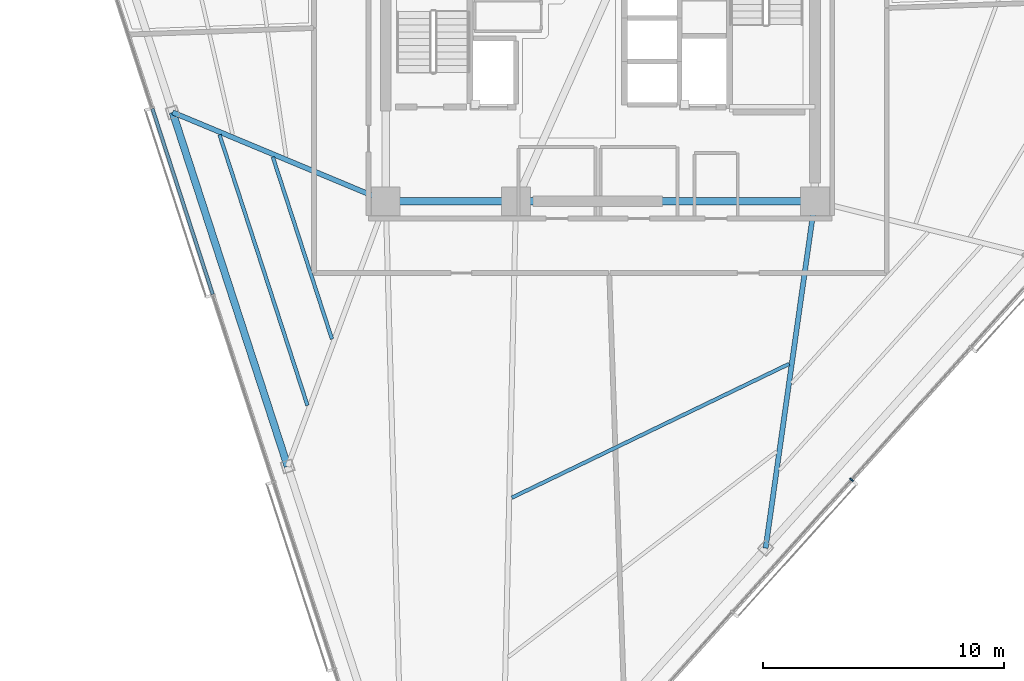
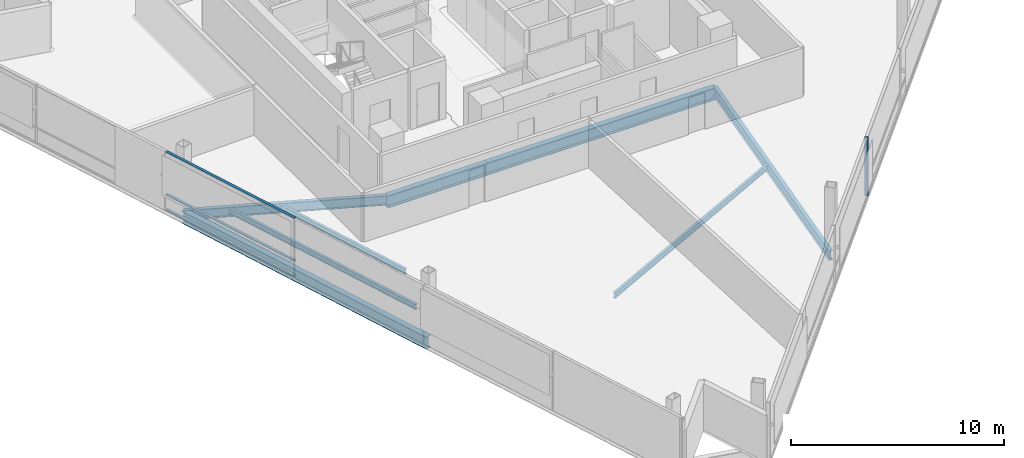
# One storey, part 3 of 17: 8 beams, 4 members, 2 elements without a shape of their own.
"""IFC4 building model written with IfcOpenShell, lengths in metres."""

from ifc_helpers import new_model, si_unit, direction, frame, origin, origin_2d, place, context, subcontext, project, spatial, rectangle, i_section, extrude, material, layer, layer_set, material_profile, profile_set, type_object, element, aggregate, save


model = new_model("IFC4")

# Units and contexts
model_context = context("Model", 3, precision=1e-05, world=origin(), true_north=direction((0.0, 1.0)))
body_context = subcontext(model_context, "Body", "Model", "MODEL_VIEW")
ifc_project = project(units=[si_unit("LENGTHUNIT", "METRE"), si_unit("AREAUNIT", "SQUARE_METRE"), si_unit("VOLUMEUNIT", "CUBIC_METRE"), si_unit("PLANEANGLEUNIT", "RADIAN"), si_unit("MASSUNIT", "GRAM", prefix="KILO")], contexts=[model_context])

# Site, building, storey
site_placement = place(None, origin())
site = spatial("IfcSite", under=ifc_project, at=site_placement, CompositionType="ELEMENT")
building_placement = place(site_placement, origin())
building = spatial("IfcBuilding", under=site, at=building_placement, Name="Tharavind Bronze Gate", CompositionType="ELEMENT")
storey_placement = place(building_placement, frame((0.0, 0.0, 218.449951171875)))
storey = spatial("IfcBuildingStorey", under=building, at=storey_placement, Name="L56", CompositionType="ELEMENT", Elevation=218.449951171875)

# Curtain wall, member
ifc_material_1 = material(Name="Anodised Bronze Aluminium", Category="aluminium")
ifc_layer = layer(ifc_material_1, 0.219970703125)
ifc_layer_set = layer_set([ifc_layer], Name="Anodised Bronze Aluminium")
curtain_wall_type = type_object("IfcCurtainWallType", Name="UNITISED CURTAIN WALL MID OFFICE", PredefinedType="USERDEFINED", material=ifc_layer_set)
curtain_wall_1_placement = place(storey_placement, origin())
curtain_wall_1 = element("IfcCurtainWall", 1, at=curtain_wall_1_placement, inside=storey, type_object=curtain_wall_type, Name="L56 unitised curtain wall mid office CW-L56-S2", ObjectType="UNITISED CURTAIN WALL", PredefinedType="USERDEFINED")
member_type_1 = type_object("IfcMemberType", Name="CURTAIN WALL BRONZE MULLION 65X180", PredefinedType="MULLION", material=ifc_material_1)
member_1_placement = place(storey_placement, frame((10.42138671875, -19.1552734375, 0.0), z_axis=(0.0, 0.0, 1.0), x_axis=(0.669130606359, 0.743144825477, 0.0)))
member_1 = element("IfcMember", 2, at=member_1_placement, type_object=member_type_1, Name="CW-L56-S2 mullion 4", PredefinedType="MULLION", context=body_context, shape_type="SweptSolid", body=[
    extrude(rectangle(XDim=0.06494140625, YDim=0.179931640625, at=origin_2d()), origin(), (0.0, 0.0, 1.0), 3.360107421875),
])
aggregate(curtain_wall_1, [member_1])

# Curtain wall, members
curtain_wall_2_placement = place(storey_placement, origin())
curtain_wall_2 = element("IfcCurtainWall", 3, at=curtain_wall_2_placement, inside=storey, type_object=curtain_wall_type, Name="L56 unitised curtain wall mid office CW-L56-S1", ObjectType="UNITISED CURTAIN WALL", PredefinedType="USERDEFINED")
member_type_2 = type_object("IfcMemberType", Name="CURTAIN WALL BRONZE TRANSOM 65X140", PredefinedType="USERDEFINED", material=ifc_material_1)
member_2_placement = place(storey_placement, frame((-17.32958984375, -7.61083984375, 0.0), z_axis=(0.0, 0.0, 1.0), x_axis=(0.309016994375, -0.951056516295, 0.0)))
member_2 = element("IfcMember", 4, at=member_2_placement, type_object=member_type_2, Name="CW-L56-S1 transom TB3", ObjectType="TRANSOM", PredefinedType="USERDEFINED", context=body_context, shape_type="SweptSolid", body=[
    extrude(rectangle(XDim=8.102783203125, YDim=0.139892578125, at=origin_2d()), origin(), (0.0, 0.0, 1.0), 0.06494140625),
])
member_3_placement = place(storey_placement, frame((-17.32958984375, -7.61083984375, 0.86767578125), z_axis=(0.0, 0.0, 1.0), x_axis=(0.309016994375, -0.951056516295, 0.0)))
member_3 = element("IfcMember", 5, at=member_3_placement, type_object=member_type_2, Name="CW-L56-S1 transom TS3", ObjectType="TRANSOM", PredefinedType="USERDEFINED", context=body_context, shape_type="SweptSolid", body=[
    extrude(rectangle(XDim=8.102783203125, YDim=0.139892578125, at=origin_2d()), origin(), (0.0, 0.0, 1.0), 0.06494140625),
])
member_4_placement = place(storey_placement, frame((-17.32958984375, -7.61083984375, 3.295166015625), z_axis=(0.0, 0.0, 1.0), x_axis=(0.309016994375, -0.951056516295, 0.0)))
member_4 = element("IfcMember", 6, at=member_4_placement, type_object=member_type_2, Name="CW-L56-S1 transom TT3", ObjectType="TRANSOM", PredefinedType="USERDEFINED", context=body_context, shape_type="SweptSolid", body=[
    extrude(rectangle(XDim=8.102783203125, YDim=0.139892578125, at=origin_2d()), origin(), (0.0, 0.0, 1.0), 0.06494140625),
])
aggregate(curtain_wall_2, [member_2, member_3, member_4])

# Beams
ifc_material_2 = material(Name="Steel S355", Category="steel")
ifc_material_profile_1 = material_profile(ifc_material_2, i_section(OverallWidth=0.2099609375, OverallDepth=0.550048828125, WebThickness=0.010986328125, FlangeThickness=0.01708984375, at=origin_2d()), Name="IPE550")
ifc_profile_set_1 = profile_set([ifc_material_profile_1], Name="Steel S355")
beam_type_1 = type_object("IfcBeamType", Name="PRIMARY GIRDER IPE550", PredefinedType="USERDEFINED", material=ifc_profile_set_1)
beam_1_placement = place(storey_placement, frame((-17.74267578125, -3.91259765625, -0.454833984375), z_axis=(0.922965305367, -0.38488315771, 0.0), x_axis=(0.38488315771, 0.922965305367, 0.0)))
element("IfcBeam", 7, at=beam_1_placement, inside=storey, type_object=beam_type_1, Name="L56 primary girder ipe550 BM-L56-RAD02", ObjectType="GIRDER", PredefinedType="USERDEFINED", context=body_context, shape_type="SweptSolid", body=[
    extrude(i_section(OverallWidth=0.2099609375, OverallDepth=0.550048828125, WebThickness=0.010986328125, FlangeThickness=0.01708984375, at=origin_2d()), origin(), (0.0, 0.0, 1.0), 9.580810546875),
])
beam_2_placement = place(storey_placement, frame((6.857421875, -21.992431640625, -0.454833984375), z_axis=(0.140506642307, 0.990079735914, 0.0), x_axis=(-0.990079735914, 0.140506642307, 0.0)))
element("IfcBeam", 8, at=beam_2_placement, inside=storey, type_object=beam_type_1, Name="L56 primary girder ipe550 BM-L56-RAD06", ObjectType="GIRDER", PredefinedType="USERDEFINED", context=body_context, shape_type="SweptSolid", body=[
    extrude(i_section(OverallWidth=0.2099609375, OverallDepth=0.550048828125, WebThickness=0.010986328125, FlangeThickness=0.01708984375, at=origin_2d()), origin(), (0.0, 0.0, 1.0), 14.53662109375),
])
ifc_material_profile_2 = material_profile(ifc_material_2, i_section(OverallWidth=0.300048828125, OverallDepth=0.699951171875, WebThickness=0.01708984375, FlangeThickness=0.031982421875, at=origin_2d()), Name="HE700B")
ifc_profile_set_2 = profile_set([ifc_material_profile_2], Name="Steel S355")
beam_type_2 = type_object("IfcBeamType", Name="RING GIRDER HE700B", PredefinedType="USERDEFINED", material=ifc_profile_set_2)
beam_3_placement = place(storey_placement, frame((-8.89990234375, -7.60009765625, -0.530029296875), z_axis=(1.0, 0.0, 0.0), x_axis=(0.0, 1.0, 0.0)))
element("IfcBeam", 9, at=beam_3_placement, inside=storey, type_object=beam_type_2, Name="L56 ring girder he700b BM-L56-CR1", ObjectType="GIRDER", PredefinedType="USERDEFINED", context=body_context, shape_type="SweptSolid", body=[
    extrude(i_section(OverallWidth=0.300048828125, OverallDepth=0.699951171875, WebThickness=0.01708984375, FlangeThickness=0.031982421875, at=origin_2d()), origin(), (0.0, 0.0, 1.0), 5.39990234375),
])
beam_4_placement = place(storey_placement, frame((-3.5, -7.60009765625, -0.530029296875), z_axis=(1.0, 0.0, 0.0), x_axis=(0.0, 1.0, 0.0)))
element("IfcBeam", 10, at=beam_4_placement, inside=storey, type_object=beam_type_2, Name="L56 ring girder he700b BM-L56-CR2", ObjectType="GIRDER", PredefinedType="USERDEFINED", context=body_context, shape_type="SweptSolid", body=[
    extrude(i_section(OverallWidth=0.300048828125, OverallDepth=0.699951171875, WebThickness=0.01708984375, FlangeThickness=0.031982421875, at=origin_2d()), origin(), (0.0, 0.0, 1.0), 12.39990234375),
])
beam_5_placement = place(storey_placement, frame((-17.74267578125, -3.91259765625, -0.530029296875), z_axis=(0.309020307293, -0.951055439857, 0.0), x_axis=(0.951055439857, 0.309020307293, 0.0)))
element("IfcBeam", 11, at=beam_5_placement, inside=storey, type_object=beam_type_2, Name="L56 ring girder he700b BM-L56-PRG02", ObjectType="GIRDER", PredefinedType="USERDEFINED", context=body_context, shape_type="SweptSolid", body=[
    extrude(i_section(OverallWidth=0.300048828125, OverallDepth=0.699951171875, WebThickness=0.01708984375, FlangeThickness=0.031982421875, at=origin_2d()), origin(), (0.0, 0.0, 1.0), 15.4453125),
])
ifc_material_profile_3 = material_profile(ifc_material_2, i_section(OverallWidth=0.14990234375, OverallDepth=0.300048828125, WebThickness=0.007080078125, FlangeThickness=0.0107421875, at=origin_2d()), Name="IPE300")
ifc_profile_set_3 = profile_set([ifc_material_profile_3], Name="Steel S355")
beam_type_3 = type_object("IfcBeamType", Name="SECONDARY FLOOR JOIST IPE300", PredefinedType="JOIST", material=ifc_profile_set_3)
beam_6_placement = place(storey_placement, frame((-13.5869140625, -5.7626953125, -0.329833984375), z_axis=(0.309039532328, -0.951049192975, 0.0), x_axis=(0.951049192975, 0.309039532328, 0.0)))
element("IfcBeam", 12, at=beam_6_placement, inside=storey, type_object=beam_type_3, Name="L56 secondary floor joist ipe300 BM-L56-JSTA02", PredefinedType="JOIST", context=body_context, shape_type="SweptSolid", body=[
    extrude(i_section(OverallWidth=0.14990234375, OverallDepth=0.300048828125, WebThickness=0.007080078125, FlangeThickness=0.0107421875, at=origin_2d()), origin(), (0.0, 0.0, 1.0), 7.947265625),
])
beam_7_placement = place(storey_placement, frame((-15.79736328125, -4.8408203125, -0.329833984375), z_axis=(0.309005195331, -0.951060349956, 0.0), x_axis=(0.951060349956, 0.309005195331, 0.0)))
element("IfcBeam", 13, at=beam_7_placement, inside=storey, type_object=beam_type_3, Name="L56 secondary floor joist ipe300 BM-L56-JSTB02", PredefinedType="JOIST", context=body_context, shape_type="SweptSolid", body=[
    extrude(i_section(OverallWidth=0.14990234375, OverallDepth=0.300048828125, WebThickness=0.007080078125, FlangeThickness=0.0107421875, at=origin_2d()), origin(), (0.0, 0.0, 1.0), 11.80859375),
])
beam_8_placement = place(storey_placement, frame((-3.66943359375, -19.8984375, -0.329833984375), z_axis=(0.900657941829, 0.434528792855, 0.0), x_axis=(-0.434528792855, 0.900657941829, 0.0)))
element("IfcBeam", 14, at=beam_8_placement, inside=storey, type_object=beam_type_3, Name="L56 secondary floor joist ipe300 BM-L56-JSTA05", PredefinedType="JOIST", context=body_context, shape_type="SweptSolid", body=[
    extrude(i_section(OverallWidth=0.14990234375, OverallDepth=0.300048828125, WebThickness=0.007080078125, FlangeThickness=0.0107421875, at=origin_2d()), origin(), (0.0, 0.0, 1.0), 12.77099609375),
])

save(model, "model.ifc")
